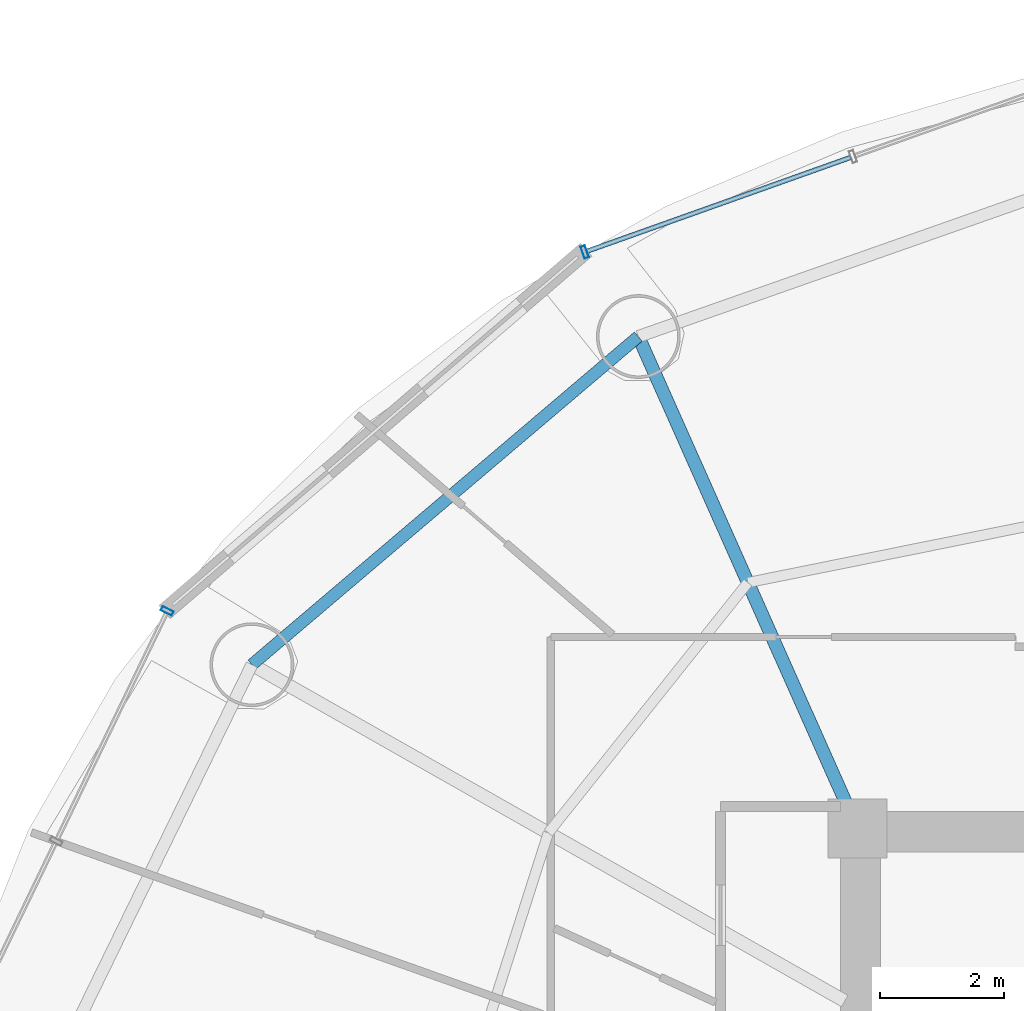
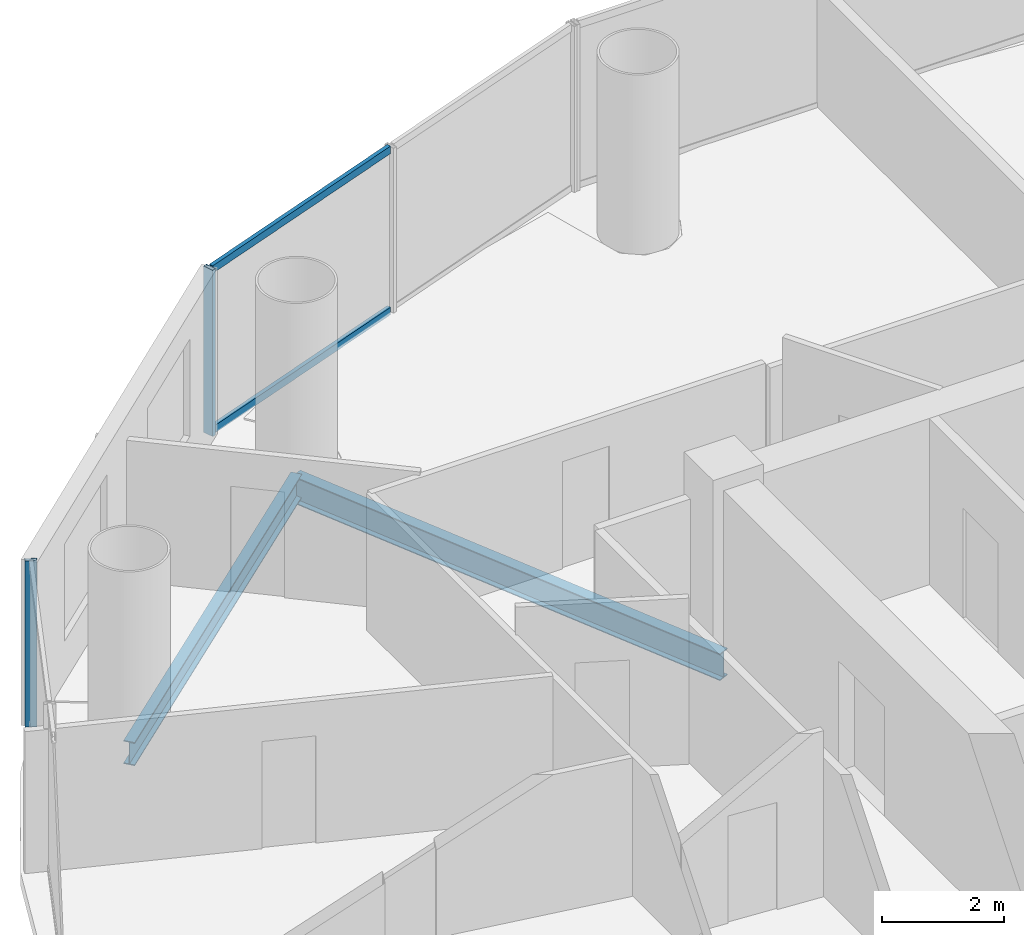
# One storey, part 13 of 26: 4 members, 2 beams, 2 elements without a shape of their own.
"""IFC4 building model written with IfcOpenShell, lengths in metres."""

from ifc_helpers import new_model, si_unit, direction, frame, origin, origin_2d, place, context, subcontext, project, spatial, hollow_rectangle, i_section, extrude, source, transform, mapped, material, material_profile, profile_set, type_object, element, aggregate, save


model = new_model("IFC4")

# Units and contexts
model_context = context("Model", 3, precision=1e-05, world=origin(), true_north=direction((-0.2419218956, 0.970295726276)))
body_context = subcontext(model_context, "Body", "Model", "MODEL_VIEW")
ifc_project = project(units=[si_unit("LENGTHUNIT", "METRE"), si_unit("AREAUNIT", "SQUARE_METRE"), si_unit("VOLUMEUNIT", "CUBIC_METRE"), si_unit("PLANEANGLEUNIT", "RADIAN"), si_unit("MASSUNIT", "GRAM", prefix="KILO")], contexts=[model_context])

# Site, building, storey
site_placement = place(None, origin())
site = spatial("IfcSite", under=ifc_project, at=site_placement, CompositionType="ELEMENT")
building_placement = place(site_placement, origin())
building = spatial("IfcBuilding", under=site, at=building_placement, Name="Cobrevalo Terracotta Tower", CompositionType="ELEMENT")
storey_placement = place(building_placement, frame((0.0, 0.0, 175.0)))
storey = spatial("IfcBuildingStorey", under=building, at=storey_placement, Name="L46", CompositionType="ELEMENT", Elevation=175.0)

# Beams
ifc_material_1 = material(Name="Steel S355", Category="steel")
ifc_material_profile_1 = material_profile(ifc_material_1, i_section(OverallWidth=0.2109375, OverallDepth=0.5390625, WebThickness=0.01171875, FlangeThickness=0.018798828125, at=origin_2d()), Name="W 530x109")
ifc_profile_set_1 = profile_set([ifc_material_profile_1], Name="Steel S355")
beam_type_1 = type_object("IfcBeamType", Name="Structural Beam W 530x109 (Steel S355)", PredefinedType="BEAM", material=ifc_profile_set_1)
beam_1_placement = place(storey_placement, frame((25.471923828125, 42.72265625, -0.53955078125), z_axis=(0.406804395691, -0.913515289224, 0.0), x_axis=(0.913515289224, 0.406804395691, 0.0)))
element("IfcBeam", 1, at=beam_1_placement, inside=storey, type_object=beam_type_1, Name="L46 radial floor girder 06", PredefinedType="BEAM", context=body_context, shape_type="SweptSolid", body=[
    extrude(i_section(OverallWidth=0.2109375, OverallDepth=0.5390625, WebThickness=0.01171875, FlangeThickness=0.018798828125, at=origin_2d()), origin(), (0.0, 0.0, 1.0), 8.672607421875),
])
ifc_material_profile_2 = material_profile(ifc_material_1, i_section(OverallWidth=0.194091796875, OverallDepth=0.468994140625, WebThickness=0.011474609375, FlangeThickness=0.0205078125, at=origin_2d()), Name="W 460x106")
ifc_profile_set_2 = profile_set([ifc_material_profile_2], Name="Steel S355")
beam_type_2 = type_object("IfcBeamType", Name="Structural Spandrel W 460x106 (Steel S355)", PredefinedType="SPANDREL", material=ifc_profile_set_2)
beam_2_placement = place(storey_placement, frame((25.471923828125, 42.72265625, -0.50439453125), z_axis=(-0.762240337798, -0.647294112003, 0.0), x_axis=(0.647294112003, -0.762240337798, 0.0)))
element("IfcBeam", 2, at=beam_2_placement, inside=storey, type_object=beam_type_2, Name="L46 perimeter ring spandrel 06", PredefinedType="SPANDREL", context=body_context, shape_type="SweptSolid", body=[
    extrude(i_section(OverallWidth=0.194091796875, OverallDepth=0.468994140625, WebThickness=0.011474609375, FlangeThickness=0.0205078125, at=origin_2d()), origin(), (0.0, 0.0, 1.0), 8.162353515625),
])

# Curtain wall, member
ifc_material_2 = material(Name="Anodized aluminium", Category="aluminium")
curtain_wall_type = type_object("IfcCurtainWallType", Name="Mid-tower high-wind unitised curtain wall CW-U2", PredefinedType="NOTDEFINED", material=ifc_material_2)
curtain_wall_1_placement = place(storey_placement, origin())
curtain_wall_1 = element("IfcCurtainWall", 3, at=curtain_wall_1_placement, inside=storey, type_object=curtain_wall_type, Name="L46 curtain wall CW-L46-S05", PredefinedType="NOTDEFINED")
ifc_material_profile_3 = material_profile(ifc_material_2, hollow_rectangle(XDim=0.074951171875, YDim=0.199951171875, WallThickness=0.0048828125, at=origin_2d()), Name="CWM 75x200")
ifc_profile_set_3 = profile_set([ifc_material_profile_3], Name="Anodized aluminium")
member_type_1 = type_object("IfcMemberType", Name="Lower/mid tower unitised mullion 75x200", PredefinedType="MULLION", material=ifc_profile_set_3)
shared_shape_1 = source(origin(), body_context, "Body", "SweptSolid", [
    extrude(hollow_rectangle(XDim=0.074951171875, YDim=0.199951171875, WallThickness=0.0048828125, at=origin_2d()), origin(), (0.0, 0.0, 1.0), 3.330078125),
])
member_1_placement = place(storey_placement, frame((24.609619140625, 44.0830078125, 0.0), z_axis=(0.0, 0.0, 1.0), x_axis=(-0.942098428897, -0.335336473217, 0.0)))
member_1 = element("IfcMember", 4, at=member_1_placement, type_object=member_type_1, Name="CW-L46-S05 vertical mullion 03", PredefinedType="MULLION", context=body_context, shape_type="MappedRepresentation", body=[
    mapped(shared_shape_1, transform((0.0, 0.0, 0.0), scale=1.0)),
])

curtain_wall_2_placement = place(storey_placement, origin())
curtain_wall_2 = element("IfcCurtainWall", 5, at=curtain_wall_2_placement, inside=storey, type_object=curtain_wall_type, Name="L46 curtain wall CW-L46-S07", PredefinedType="NOTDEFINED")
member_2_placement = place(storey_placement, frame((17.885986328125, 38.30322265625, 0.0), z_axis=(0.0, 0.0, 1.0), x_axis=(-0.434209440271, -0.900811945957, 0.0)))
member_2 = element("IfcMember", 6, at=member_2_placement, type_object=member_type_1, Name="CW-L46-S07 vertical mullion 01", PredefinedType="MULLION", context=body_context, shape_type="MappedRepresentation", body=[
    mapped(shared_shape_1, transform((0.0, 0.0, 0.0), scale=1.0)),
])
aggregate(curtain_wall_2, [member_2])

# Member
ifc_material_profile_4 = material_profile(ifc_material_2, hollow_rectangle(XDim=0.074951171875, YDim=0.14990234375, WallThickness=0.00439453125, at=origin_2d()), Name="CWT 75x150")
ifc_profile_set_4 = profile_set([ifc_material_profile_4], Name="Anodized aluminium")
member_type_2 = type_object("IfcMemberType", Name="Tower unitised aluminium transom 75x150", PredefinedType="USERDEFINED", material=ifc_profile_set_4)
shared_shape_2 = source(origin(), body_context, "Body", "SweptSolid", [
    extrude(hollow_rectangle(XDim=0.074951171875, YDim=0.14990234375, WallThickness=0.00439453125, at=origin_2d()), origin(), (0.0, 0.0, 1.0), 4.504150390625),
])
member_3_placement = place(storey_placement, frame((28.890625, 45.60693359375, 0.050048828125), z_axis=(-0.942093344241, -0.335350757771, 0.0), x_axis=(0.335350757771, -0.942093344241, 0.0)))
member_3 = element("IfcMember", 7, at=member_3_placement, type_object=member_type_2, Name="CW-L46-S05 transom B02-T1", ObjectType="TRANSOM", PredefinedType="USERDEFINED", context=body_context, shape_type="MappedRepresentation", body=[
    mapped(shared_shape_2, transform((0.0, 0.0, 0.0), scale=1.0)),
])

member_4_placement = place(storey_placement, frame((28.890625, 45.60693359375, 3.280029296875), z_axis=(-0.942093344241, -0.335350757771, 0.0), x_axis=(0.335350757771, -0.942093344241, 0.0)))
member_4 = element("IfcMember", 8, at=member_4_placement, type_object=member_type_2, Name="CW-L46-S05 transom B02-T2", ObjectType="TRANSOM", PredefinedType="USERDEFINED", context=body_context, shape_type="MappedRepresentation", body=[
    mapped(shared_shape_2, transform((0.0, 0.0, 0.0), scale=1.0)),
])

aggregate(curtain_wall_1, [member_1, member_3, member_4])

save(model, "model.ifc")
